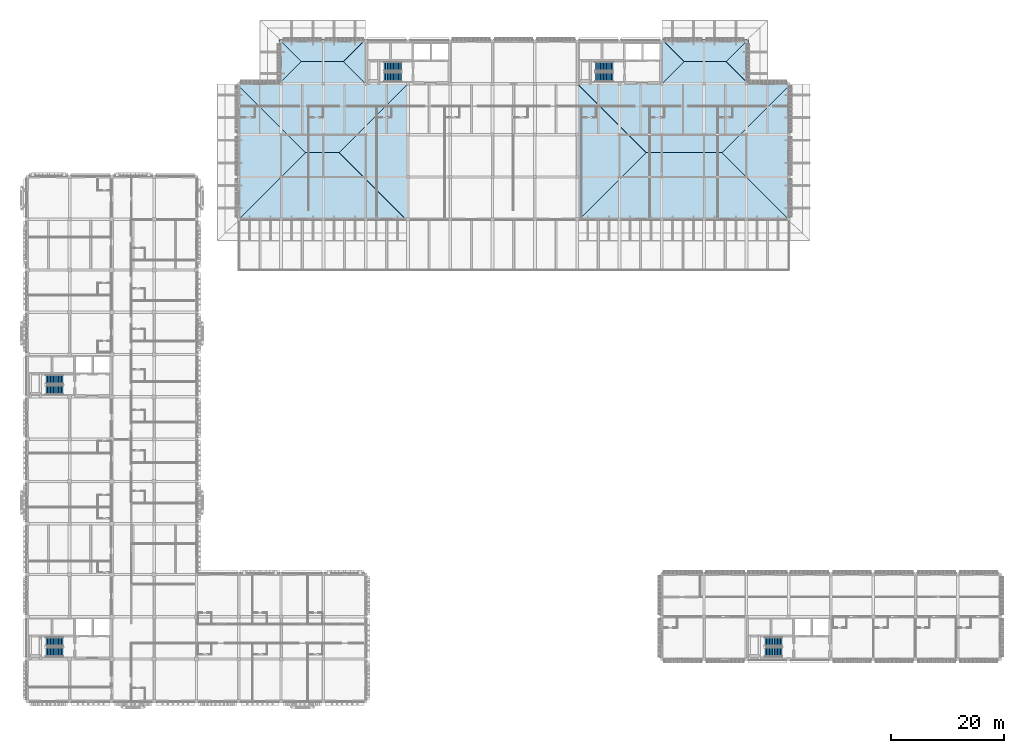
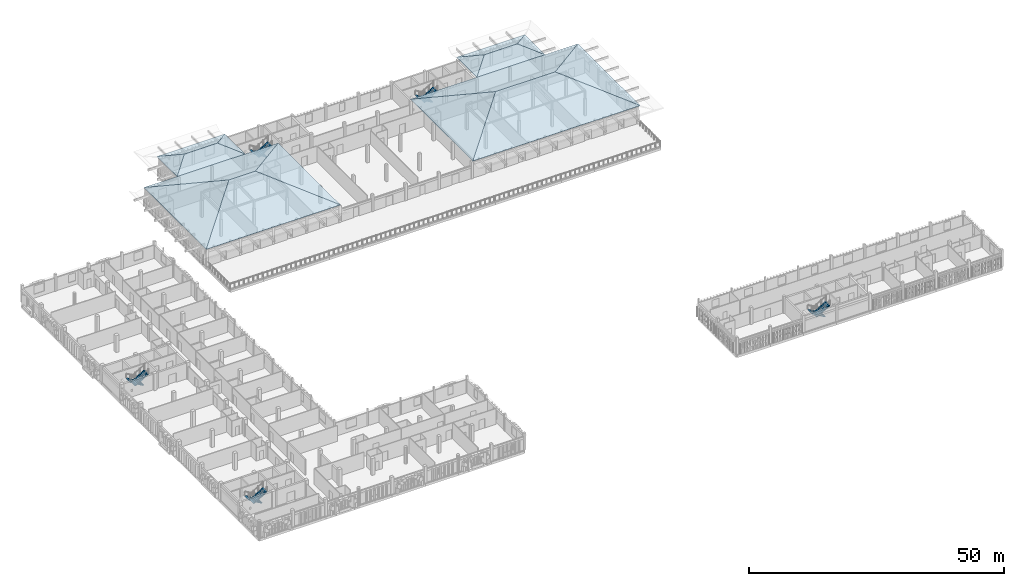
# One storey, part 29 of 48: 16 roofs, 10 stair flights, 5 elements without a shape of their own.
"""IFC4 building model written with IfcOpenShell, lengths in metres."""

from ifc_helpers import new_model, si_unit, direction, frame, origin, place, context, subcontext, project, spatial, polyline, outline, extrude, material, layer, layer_set, type_object, element, aggregate, save


model = new_model("IFC4")

# Units and contexts
model_context = context("Model", 3, precision=1e-05, world=origin(), true_north=direction((0.0, 1.0)))
body_context = subcontext(model_context, "Body", "Model", "MODEL_VIEW")
ifc_project = project(units=[si_unit("LENGTHUNIT", "METRE"), si_unit("AREAUNIT", "SQUARE_METRE"), si_unit("VOLUMEUNIT", "CUBIC_METRE"), si_unit("PLANEANGLEUNIT", "RADIAN"), si_unit("MASSUNIT", "GRAM", prefix="KILO")], contexts=[model_context])

# Site, building, storey
site_placement = place(None, origin())
site = spatial("IfcSite", under=ifc_project, at=site_placement, CompositionType="ELEMENT")
building_placement = place(site_placement, origin())
building = spatial("IfcBuilding", under=site, at=building_placement, Name="Dalvernix Boulevard General Hospital", CompositionType="ELEMENT")
storey_placement = place(building_placement, frame((0.0, 0.0, 17.85009765625)))
storey = spatial("IfcBuildingStorey", under=building, at=storey_placement, Name="L04", CompositionType="ELEMENT", Elevation=17.85009765625)

# Stair, stair flights
ifc_material_1 = material(Name="Precast concrete C40/50", Category="concrete")
stair_type = type_object("IfcStairType", Name="IFCSTAIR-STC-165x405", PredefinedType="HALF_TURN_STAIR", material=ifc_material_1)
stair_1_placement = place(storey_placement, origin())
stair_1 = element("IfcStair", 1, at=stair_1_placement, inside=storey, type_object=stair_type, Name="L04 Core C1 Exit Stair ST-01", PredefinedType="HALF_TURN_STAIR")
stair_flight_type = type_object("IfcStairFlightType", Name="IFCSTAIRFLIGHT-STF-165x405", PredefinedType="STRAIGHT", material=ifc_material_1)
stair_flight_1_placement = place(storey_placement, frame((6.35009765625, 10.574951171875, 0.0), z_axis=(0.0, 0.0, 1.0), x_axis=(-1.0, 0.0, 0.0)))
stair_flight_1 = element("IfcStairFlight", 2, at=stair_flight_1_placement, type_object=stair_flight_type, Name="ST-01 flight 1", NumberOfRisers=12, NumberOfTreads=11, PredefinedType="STRAIGHT", RiserHeight=0.16875, TreadLength=0.28, context=body_context, shape_type="SweptSolid", body=[
    extrude(outline(polyline([(0.0, 0.0), (0.0, 0.168701171875), (0.280029296875, 0.168701171875), (0.280029296875, 0.33740234375), (0.56005859375, 0.33740234375), (0.56005859375, 0.50634765625), (0.840087890625, 0.50634765625), (0.840087890625, 0.675048828125), (1.1201171875, 0.675048828125), (1.1201171875, 0.84375), (1.39990234375, 0.84375), (1.39990234375, 1.012451171875), (1.679931640625, 1.012451171875), (1.679931640625, 1.18115234375), (1.9599609375, 1.18115234375), (1.9599609375, 1.35009765625), (2.239990234375, 1.35009765625), (2.239990234375, 1.518798828125), (2.52001953125, 1.518798828125), (2.52001953125, 1.6875), (2.800048828125, 1.6875), (2.800048828125, 1.856201171875), (3.080078125, 1.856201171875), (3.080078125, 2.02490234375), (3.080078125, 1.68115234375), (0.29052734375, 0.0), (0.0, 0.0)])), frame((0.0, 0.824951171875, 0.0), z_axis=(0.0, -1.0, 0.0), x_axis=(1.0, 0.0, 0.0)), (0.0, 0.0, 1.0), 1.64990234375),
])
stair_flight_2_placement = place(storey_placement, frame((3.27001953125, 8.72509765625, 2.02490234375), z_axis=(0.0, 0.0, 1.0), x_axis=(1.0, 0.0, 0.0)))
stair_flight_2 = element("IfcStairFlight", 3, at=stair_flight_2_placement, type_object=stair_flight_type, Name="ST-01 flight 2", NumberOfRisers=12, NumberOfTreads=11, PredefinedType="STRAIGHT", RiserHeight=0.16875, TreadLength=0.28, context=body_context, shape_type="SweptSolid", body=[
    extrude(outline(polyline([(0.0, 0.0), (0.0, 0.168701171875), (0.280029296875, 0.168701171875), (0.280029296875, 0.33740234375), (0.56005859375, 0.33740234375), (0.56005859375, 0.50634765625), (0.840087890625, 0.50634765625), (0.840087890625, 0.675048828125), (1.1201171875, 0.675048828125), (1.1201171875, 0.84375), (1.39990234375, 0.84375), (1.39990234375, 1.012451171875), (1.679931640625, 1.012451171875), (1.679931640625, 1.18115234375), (1.9599609375, 1.18115234375), (1.9599609375, 1.35009765625), (2.239990234375, 1.35009765625), (2.239990234375, 1.518798828125), (2.52001953125, 1.518798828125), (2.52001953125, 1.6875), (2.800048828125, 1.6875), (2.800048828125, 1.856201171875), (3.080078125, 1.856201171875), (3.080078125, 2.02490234375), (3.080078125, 1.68115234375), (0.29052734375, 0.0), (0.0, 0.0)])), frame((0.0, 0.824951171875, 0.0), z_axis=(0.0, -1.0, 0.0), x_axis=(1.0, 0.0, 0.0)), (0.0, 0.0, 1.0), 1.64990234375),
])
aggregate(stair_1, [stair_flight_1, stair_flight_2])

stair_2_placement = place(storey_placement, origin())
stair_2 = element("IfcStair", 4, at=stair_2_placement, inside=storey, type_object=stair_type, Name="L04 Core C2 Exit Stair ST-02", PredefinedType="HALF_TURN_STAIR")
stair_flight_3_placement = place(storey_placement, frame((6.35009765625, 57.074951171875, 0.0), z_axis=(0.0, 0.0, 1.0), x_axis=(-1.0, 0.0, 0.0)))
stair_flight_3 = element("IfcStairFlight", 5, at=stair_flight_3_placement, type_object=stair_flight_type, Name="ST-02 flight 1", NumberOfRisers=12, NumberOfTreads=11, PredefinedType="STRAIGHT", RiserHeight=0.16875, TreadLength=0.28, context=body_context, shape_type="SweptSolid", body=[
    extrude(outline(polyline([(0.0, 0.0), (0.0, 0.168701171875), (0.280029296875, 0.168701171875), (0.280029296875, 0.33740234375), (0.56005859375, 0.33740234375), (0.56005859375, 0.50634765625), (0.840087890625, 0.50634765625), (0.840087890625, 0.675048828125), (1.1201171875, 0.675048828125), (1.1201171875, 0.84375), (1.39990234375, 0.84375), (1.39990234375, 1.012451171875), (1.679931640625, 1.012451171875), (1.679931640625, 1.18115234375), (1.9599609375, 1.18115234375), (1.9599609375, 1.35009765625), (2.239990234375, 1.35009765625), (2.239990234375, 1.518798828125), (2.52001953125, 1.518798828125), (2.52001953125, 1.6875), (2.800048828125, 1.6875), (2.800048828125, 1.856201171875), (3.080078125, 1.856201171875), (3.080078125, 2.02490234375), (3.080078125, 1.68115234375), (0.29052734375, 0.0), (0.0, 0.0)])), frame((0.0, 0.824951171875, 0.0), z_axis=(0.0, -1.0, 0.0), x_axis=(1.0, 0.0, 0.0)), (0.0, 0.0, 1.0), 1.64990234375),
])
stair_flight_4_placement = place(storey_placement, frame((3.27001953125, 55.22509765625, 2.02490234375), z_axis=(0.0, 0.0, 1.0), x_axis=(1.0, 0.0, 0.0)))
stair_flight_4 = element("IfcStairFlight", 6, at=stair_flight_4_placement, type_object=stair_flight_type, Name="ST-02 flight 2", NumberOfRisers=12, NumberOfTreads=11, PredefinedType="STRAIGHT", RiserHeight=0.16875, TreadLength=0.28, context=body_context, shape_type="SweptSolid", body=[
    extrude(outline(polyline([(0.0, 0.0), (0.0, 0.168701171875), (0.280029296875, 0.168701171875), (0.280029296875, 0.33740234375), (0.56005859375, 0.33740234375), (0.56005859375, 0.50634765625), (0.840087890625, 0.50634765625), (0.840087890625, 0.675048828125), (1.1201171875, 0.675048828125), (1.1201171875, 0.84375), (1.39990234375, 0.84375), (1.39990234375, 1.012451171875), (1.679931640625, 1.012451171875), (1.679931640625, 1.18115234375), (1.9599609375, 1.18115234375), (1.9599609375, 1.35009765625), (2.239990234375, 1.35009765625), (2.239990234375, 1.518798828125), (2.52001953125, 1.518798828125), (2.52001953125, 1.6875), (2.800048828125, 1.6875), (2.800048828125, 1.856201171875), (3.080078125, 1.856201171875), (3.080078125, 2.02490234375), (3.080078125, 1.68115234375), (0.29052734375, 0.0), (0.0, 0.0)])), frame((0.0, 0.824951171875, 0.0), z_axis=(0.0, -1.0, 0.0), x_axis=(1.0, 0.0, 0.0)), (0.0, 0.0, 1.0), 1.64990234375),
])
aggregate(stair_2, [stair_flight_3, stair_flight_4])

stair_3_placement = place(storey_placement, origin())
stair_3 = element("IfcStair", 7, at=stair_3_placement, inside=storey, type_object=stair_type, Name="L04 Core C3 Exit Stair ST-03", PredefinedType="HALF_TURN_STAIR")
stair_flight_5_placement = place(storey_placement, frame((66.35009765625, 112.574951171875, 0.0), z_axis=(0.0, 0.0, 1.0), x_axis=(-1.0, 0.0, 0.0)))
stair_flight_5 = element("IfcStairFlight", 8, at=stair_flight_5_placement, type_object=stair_flight_type, Name="ST-03 flight 1", NumberOfRisers=12, NumberOfTreads=11, PredefinedType="STRAIGHT", RiserHeight=0.16875, TreadLength=0.28, context=body_context, shape_type="SweptSolid", body=[
    extrude(outline(polyline([(0.0, 0.0), (0.0, 0.168701171875), (0.280029296875, 0.168701171875), (0.280029296875, 0.33740234375), (0.56005859375, 0.33740234375), (0.56005859375, 0.50634765625), (0.840087890625, 0.50634765625), (0.840087890625, 0.675048828125), (1.1201171875, 0.675048828125), (1.1201171875, 0.84375), (1.39990234375, 0.84375), (1.39990234375, 1.012451171875), (1.679931640625, 1.012451171875), (1.679931640625, 1.18115234375), (1.9599609375, 1.18115234375), (1.9599609375, 1.35009765625), (2.239990234375, 1.35009765625), (2.239990234375, 1.518798828125), (2.52001953125, 1.518798828125), (2.52001953125, 1.6875), (2.800048828125, 1.6875), (2.800048828125, 1.856201171875), (3.080078125, 1.856201171875), (3.080078125, 2.02490234375), (3.080078125, 1.68115234375), (0.29052734375, 0.0), (0.0, 0.0)])), frame((0.0, 0.824951171875, 0.0), z_axis=(0.0, -1.0, 0.0), x_axis=(1.0, 0.0, 0.0)), (0.0, 0.0, 1.0), 1.64990234375),
])
stair_flight_6_placement = place(storey_placement, frame((63.27001953125, 110.72509765625, 2.02490234375), z_axis=(0.0, 0.0, 1.0), x_axis=(1.0, 0.0, 0.0)))
stair_flight_6 = element("IfcStairFlight", 9, at=stair_flight_6_placement, type_object=stair_flight_type, Name="ST-03 flight 2", NumberOfRisers=12, NumberOfTreads=11, PredefinedType="STRAIGHT", RiserHeight=0.16875, TreadLength=0.28, context=body_context, shape_type="SweptSolid", body=[
    extrude(outline(polyline([(0.0, 0.0), (0.0, 0.168701171875), (0.280029296875, 0.168701171875), (0.280029296875, 0.33740234375), (0.56005859375, 0.33740234375), (0.56005859375, 0.50634765625), (0.840087890625, 0.50634765625), (0.840087890625, 0.675048828125), (1.1201171875, 0.675048828125), (1.1201171875, 0.84375), (1.39990234375, 0.84375), (1.39990234375, 1.012451171875), (1.679931640625, 1.012451171875), (1.679931640625, 1.18115234375), (1.9599609375, 1.18115234375), (1.9599609375, 1.35009765625), (2.239990234375, 1.35009765625), (2.239990234375, 1.518798828125), (2.52001953125, 1.518798828125), (2.52001953125, 1.6875), (2.800048828125, 1.6875), (2.800048828125, 1.856201171875), (3.080078125, 1.856201171875), (3.080078125, 2.02490234375), (3.080078125, 1.68115234375), (0.29052734375, 0.0), (0.0, 0.0)])), frame((0.0, 0.824951171875, 0.0), z_axis=(0.0, -1.0, 0.0), x_axis=(1.0, 0.0, 0.0)), (0.0, 0.0, 1.0), 1.64990234375),
])
aggregate(stair_3, [stair_flight_5, stair_flight_6])

stair_4_placement = place(storey_placement, origin())
stair_4 = element("IfcStair", 10, at=stair_4_placement, inside=storey, type_object=stair_type, Name="L04 Core C4 Exit Stair ST-04", PredefinedType="HALF_TURN_STAIR")
stair_flight_7_placement = place(storey_placement, frame((103.85009765625, 112.574951171875, 0.0), z_axis=(0.0, 0.0, 1.0), x_axis=(-1.0, 0.0, 0.0)))
stair_flight_7 = element("IfcStairFlight", 11, at=stair_flight_7_placement, type_object=stair_flight_type, Name="ST-04 flight 1", NumberOfRisers=12, NumberOfTreads=11, PredefinedType="STRAIGHT", RiserHeight=0.16875, TreadLength=0.28, context=body_context, shape_type="SweptSolid", body=[
    extrude(outline(polyline([(0.0, 0.0), (0.0, 0.168701171875), (0.280029296875, 0.168701171875), (0.280029296875, 0.33740234375), (0.56005859375, 0.33740234375), (0.56005859375, 0.50634765625), (0.840087890625, 0.50634765625), (0.840087890625, 0.675048828125), (1.1201171875, 0.675048828125), (1.1201171875, 0.84375), (1.39990234375, 0.84375), (1.39990234375, 1.012451171875), (1.679931640625, 1.012451171875), (1.679931640625, 1.18115234375), (1.9599609375, 1.18115234375), (1.9599609375, 1.35009765625), (2.239990234375, 1.35009765625), (2.239990234375, 1.518798828125), (2.52001953125, 1.518798828125), (2.52001953125, 1.6875), (2.800048828125, 1.6875), (2.800048828125, 1.856201171875), (3.080078125, 1.856201171875), (3.080078125, 2.02490234375), (3.080078125, 1.68115234375), (0.29052734375, 0.0), (0.0, 0.0)])), frame((0.0, 0.824951171875, 0.0), z_axis=(0.0, -1.0, 0.0), x_axis=(1.0, 0.0, 0.0)), (0.0, 0.0, 1.0), 1.64990234375),
])
stair_flight_8_placement = place(storey_placement, frame((100.77001953125, 110.72509765625, 2.02490234375), z_axis=(0.0, 0.0, 1.0), x_axis=(1.0, 0.0, 0.0)))
stair_flight_8 = element("IfcStairFlight", 12, at=stair_flight_8_placement, type_object=stair_flight_type, Name="ST-04 flight 2", NumberOfRisers=12, NumberOfTreads=11, PredefinedType="STRAIGHT", RiserHeight=0.16875, TreadLength=0.28, context=body_context, shape_type="SweptSolid", body=[
    extrude(outline(polyline([(0.0, 0.0), (0.0, 0.168701171875), (0.280029296875, 0.168701171875), (0.280029296875, 0.33740234375), (0.56005859375, 0.33740234375), (0.56005859375, 0.50634765625), (0.840087890625, 0.50634765625), (0.840087890625, 0.675048828125), (1.1201171875, 0.675048828125), (1.1201171875, 0.84375), (1.39990234375, 0.84375), (1.39990234375, 1.012451171875), (1.679931640625, 1.012451171875), (1.679931640625, 1.18115234375), (1.9599609375, 1.18115234375), (1.9599609375, 1.35009765625), (2.239990234375, 1.35009765625), (2.239990234375, 1.518798828125), (2.52001953125, 1.518798828125), (2.52001953125, 1.6875), (2.800048828125, 1.6875), (2.800048828125, 1.856201171875), (3.080078125, 1.856201171875), (3.080078125, 2.02490234375), (3.080078125, 1.68115234375), (0.29052734375, 0.0), (0.0, 0.0)])), frame((0.0, 0.824951171875, 0.0), z_axis=(0.0, -1.0, 0.0), x_axis=(1.0, 0.0, 0.0)), (0.0, 0.0, 1.0), 1.64990234375),
])
aggregate(stair_4, [stair_flight_7, stair_flight_8])

stair_5_placement = place(storey_placement, origin())
stair_5 = element("IfcStair", 13, at=stair_5_placement, inside=storey, type_object=stair_type, Name="L04 Core C5 Exit Stair ST-05", PredefinedType="HALF_TURN_STAIR")
stair_flight_9_placement = place(storey_placement, frame((133.85009765625, 10.574951171875, 0.0), z_axis=(0.0, 0.0, 1.0), x_axis=(-1.0, 0.0, 0.0)))
stair_flight_9 = element("IfcStairFlight", 14, at=stair_flight_9_placement, type_object=stair_flight_type, Name="ST-05 flight 1", NumberOfRisers=12, NumberOfTreads=11, PredefinedType="STRAIGHT", RiserHeight=0.16875, TreadLength=0.28, context=body_context, shape_type="SweptSolid", body=[
    extrude(outline(polyline([(0.0, 0.0), (0.0, 0.168701171875), (0.280029296875, 0.168701171875), (0.280029296875, 0.33740234375), (0.56005859375, 0.33740234375), (0.56005859375, 0.50634765625), (0.840087890625, 0.50634765625), (0.840087890625, 0.675048828125), (1.1201171875, 0.675048828125), (1.1201171875, 0.84375), (1.39990234375, 0.84375), (1.39990234375, 1.012451171875), (1.679931640625, 1.012451171875), (1.679931640625, 1.18115234375), (1.9599609375, 1.18115234375), (1.9599609375, 1.35009765625), (2.239990234375, 1.35009765625), (2.239990234375, 1.518798828125), (2.52001953125, 1.518798828125), (2.52001953125, 1.6875), (2.800048828125, 1.6875), (2.800048828125, 1.856201171875), (3.080078125, 1.856201171875), (3.080078125, 2.02490234375), (3.080078125, 1.68115234375), (0.29052734375, 0.0), (0.0, 0.0)])), frame((0.0, 0.824951171875, 0.0), z_axis=(0.0, -1.0, 0.0), x_axis=(1.0, 0.0, 0.0)), (0.0, 0.0, 1.0), 1.64990234375),
])
stair_flight_10_placement = place(storey_placement, frame((130.77001953125, 8.72509765625, 2.02490234375), z_axis=(0.0, 0.0, 1.0), x_axis=(1.0, 0.0, 0.0)))
stair_flight_10 = element("IfcStairFlight", 15, at=stair_flight_10_placement, type_object=stair_flight_type, Name="ST-05 flight 2", NumberOfRisers=12, NumberOfTreads=11, PredefinedType="STRAIGHT", RiserHeight=0.16875, TreadLength=0.28, context=body_context, shape_type="SweptSolid", body=[
    extrude(outline(polyline([(0.0, 0.0), (0.0, 0.168701171875), (0.280029296875, 0.168701171875), (0.280029296875, 0.33740234375), (0.56005859375, 0.33740234375), (0.56005859375, 0.50634765625), (0.840087890625, 0.50634765625), (0.840087890625, 0.675048828125), (1.1201171875, 0.675048828125), (1.1201171875, 0.84375), (1.39990234375, 0.84375), (1.39990234375, 1.012451171875), (1.679931640625, 1.012451171875), (1.679931640625, 1.18115234375), (1.9599609375, 1.18115234375), (1.9599609375, 1.35009765625), (2.239990234375, 1.35009765625), (2.239990234375, 1.518798828125), (2.52001953125, 1.518798828125), (2.52001953125, 1.6875), (2.800048828125, 1.6875), (2.800048828125, 1.856201171875), (3.080078125, 1.856201171875), (3.080078125, 2.02490234375), (3.080078125, 1.68115234375), (0.29052734375, 0.0), (0.0, 0.0)])), frame((0.0, 0.824951171875, 0.0), z_axis=(0.0, -1.0, 0.0), x_axis=(1.0, 0.0, 0.0)), (0.0, 0.0, 1.0), 1.64990234375),
])
aggregate(stair_5, [stair_flight_9, stair_flight_10])

# Roofs
ifc_material_2 = material(Name="Glazed Catalan terracotta roof tile on timber boarding", Category="masonry")
ifc_layer = layer(ifc_material_2, 0.1201171875)
ifc_layer_set = layer_set([ifc_layer], Name="Glazed Catalan terracotta roof tile on timber boarding (ROOF-UPT-01)")
roof_type = type_object("IfcRoofType", Name="ROOF-UPT-01", PredefinedType="HIP_ROOF", material=ifc_layer_set)
for number, where, z_axis, x_axis, name in (
    (16, (37.10009765625, 85.10009765625, 4.329833984375), (0.0, -0.375617285768, 0.926774867285), (1.0, 0.0, 0.0), "V3W steep Catalan terracotta hipped roof S"),
    (17, (67.5, 109.5, 4.329833984375), (0.0, 0.375617285768, 0.926774867285), (-1.0, 0.0, 0.0), "V3W steep Catalan terracotta hipped roof N"),
):
    element("IfcRoof", number, at=place(storey_placement, frame(where, z_axis=z_axis, x_axis=x_axis)), inside=storey, type_object=roof_type, Name=name, PredefinedType="HIP_ROOF", context=body_context, shape_type="SweptSolid", body=[
        extrude(outline(polyline([(0.0, 0.0), (30.39990234375, 0.0), (18.199951171875, 13.16387787641335), (12.199951171875, 13.16387787641335), (0.0, 0.0)])), origin(), (0.0, 0.0, -1.0), 0.1201171875),
    ])
for number, where, z_axis, x_axis, name in (
    (18, (37.10009765625, 109.5, 4.329833984375), (-0.375617285768, 0.0, 0.926774867285), (0.0, -1.0, 0.0), "V3W steep Catalan terracotta hipped roof W"),
    (19, (67.5, 85.10009765625, 4.329833984375), (0.375617285768, 0.0, 0.926774867285), (0.0, 1.0, 0.0), "V3W steep Catalan terracotta hipped roof E"),
):
    element("IfcRoof", number, at=place(storey_placement, frame(where, z_axis=z_axis, x_axis=x_axis)), inside=storey, type_object=roof_type, Name=name, PredefinedType="HIP_ROOF", context=body_context, shape_type="SweptSolid", body=[
        extrude(outline(polyline([(0.0, 0.0), (24.39990234375, 0.0), (12.199951171875, 13.163877876413347), (0.0, 0.0)])), origin(), (0.0, 0.0, -1.0), 0.1201171875),
    ])
for number, where, z_axis, x_axis, name in (
    (20, (44.60009765625, 109.5, 4.329833984375), (0.0, -0.375604052837, 0.926780230417), (1.0, 0.0, 0.0), "V3NW steep Catalan terracotta hipped roof S"),
    (21, (60.0, 117.39990234375, 4.329833984375), (0.0, 0.375604052837, 0.926780230417), (-1.0, 0.0, 0.0), "V3NW steep Catalan terracotta hipped roof N"),
):
    element("IfcRoof", number, at=place(storey_placement, frame(where, z_axis=z_axis, x_axis=x_axis)), inside=storey, type_object=roof_type, Name=name, PredefinedType="HIP_ROOF", context=body_context, shape_type="SweptSolid", body=[
        extrude(outline(polyline([(0.0, 0.0), (15.39990234375, 0.0), (11.449951171875, 4.262014922454681), (3.949951171875, 4.262014922454681), (0.0, 0.0)])), origin(), (0.0, 0.0, -1.0), 0.1201171875),
    ])
for number, where, z_axis, x_axis, name in (
    (22, (44.60009765625, 117.39990234375, 4.329833984375), (-0.375604052837, 0.0, 0.926780230417), (0.0, -1.0, 0.0), "V3NW steep Catalan terracotta hipped roof W"),
    (23, (60.0, 109.5, 4.329833984375), (0.375604052837, 0.0, 0.926780230417), (0.0, 1.0, 0.0), "V3NW steep Catalan terracotta hipped roof E"),
):
    element("IfcRoof", number, at=place(storey_placement, frame(where, z_axis=z_axis, x_axis=x_axis)), inside=storey, type_object=roof_type, Name=name, PredefinedType="HIP_ROOF", context=body_context, shape_type="SweptSolid", body=[
        extrude(outline(polyline([(0.0, 0.0), (7.89990234375, 0.0), (3.949951171875, 4.262014922454681), (0.0, 0.0)])), origin(), (0.0, 0.0, -1.0), 0.1201171875),
    ])
for number, where, z_axis, x_axis, name in (
    (24, (97.5, 85.10009765625, 4.329833984375), (0.0, -0.375617285768, 0.926774867285), (1.0, 0.0, 0.0), "V3E steep Catalan terracotta hipped roof S"),
    (25, (135.39990234375, 109.5, 4.329833984375), (0.0, 0.375617285768, 0.926774867285), (-1.0, 0.0, 0.0), "V3E steep Catalan terracotta hipped roof N"),
):
    element("IfcRoof", number, at=place(storey_placement, frame(where, z_axis=z_axis, x_axis=x_axis)), inside=storey, type_object=roof_type, Name=name, PredefinedType="HIP_ROOF", context=body_context, shape_type="SweptSolid", body=[
        extrude(outline(polyline([(0.0, 0.0), (37.89990234375, 0.0), (25.699951171875, 13.163877876413347), (12.199951171875, 13.163877876413347), (0.0, 0.0)])), origin(), (0.0, 0.0, -1.0), 0.1201171875),
    ])
for number, where, z_axis, x_axis, name in (
    (26, (97.5, 109.5, 4.329833984375), (-0.375617285768, 0.0, 0.926774867285), (0.0, -1.0, 0.0), "V3E steep Catalan terracotta hipped roof W"),
    (27, (135.39990234375, 85.10009765625, 4.329833984375), (0.375617285768, 0.0, 0.926774867285), (0.0, 1.0, 0.0), "V3E steep Catalan terracotta hipped roof E"),
):
    element("IfcRoof", number, at=place(storey_placement, frame(where, z_axis=z_axis, x_axis=x_axis)), inside=storey, type_object=roof_type, Name=name, PredefinedType="HIP_ROOF", context=body_context, shape_type="SweptSolid", body=[
        extrude(outline(polyline([(0.0, 0.0), (24.39990234375, 0.0), (12.199951171875, 13.163877876413347), (0.0, 0.0)])), origin(), (0.0, 0.0, -1.0), 0.1201171875),
    ])
for number, where, z_axis, x_axis, name in (
    (28, (112.5, 109.5, 4.329833984375), (0.0, -0.375604052837, 0.926780230417), (1.0, 0.0, 0.0), "V3NE steep Catalan terracotta hipped roof S"),
    (29, (127.89990234375, 117.39990234375, 4.329833984375), (0.0, 0.375604052837, 0.926780230417), (-1.0, 0.0, 0.0), "V3NE steep Catalan terracotta hipped roof N"),
):
    element("IfcRoof", number, at=place(storey_placement, frame(where, z_axis=z_axis, x_axis=x_axis)), inside=storey, type_object=roof_type, Name=name, PredefinedType="HIP_ROOF", context=body_context, shape_type="SweptSolid", body=[
        extrude(outline(polyline([(0.0, 0.0), (15.39990234375, 0.0), (11.449951171875, 4.262014922454681), (3.949951171875, 4.262014922454681), (0.0, 0.0)])), origin(), (0.0, 0.0, -1.0), 0.1201171875),
    ])
for number, where, z_axis, x_axis, name in (
    (30, (112.5, 117.39990234375, 4.329833984375), (-0.375604052837, 0.0, 0.926780230417), (0.0, -1.0, 0.0), "V3NE steep Catalan terracotta hipped roof W"),
    (31, (127.89990234375, 109.5, 4.329833984375), (0.375604052837, 0.0, 0.926780230417), (0.0, 1.0, 0.0), "V3NE steep Catalan terracotta hipped roof E"),
):
    element("IfcRoof", number, at=place(storey_placement, frame(where, z_axis=z_axis, x_axis=x_axis)), inside=storey, type_object=roof_type, Name=name, PredefinedType="HIP_ROOF", context=body_context, shape_type="SweptSolid", body=[
        extrude(outline(polyline([(0.0, 0.0), (7.89990234375, 0.0), (3.949951171875, 4.262014922454681), (0.0, 0.0)])), origin(), (0.0, 0.0, -1.0), 0.1201171875),
    ])

save(model, "model.ifc")
